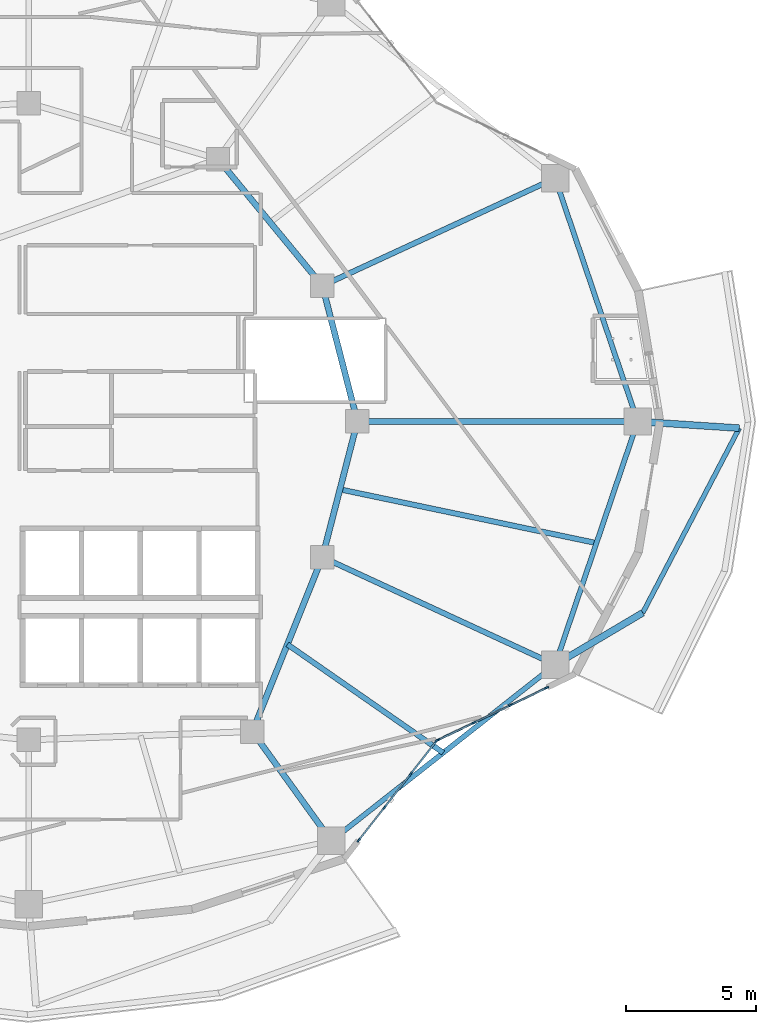
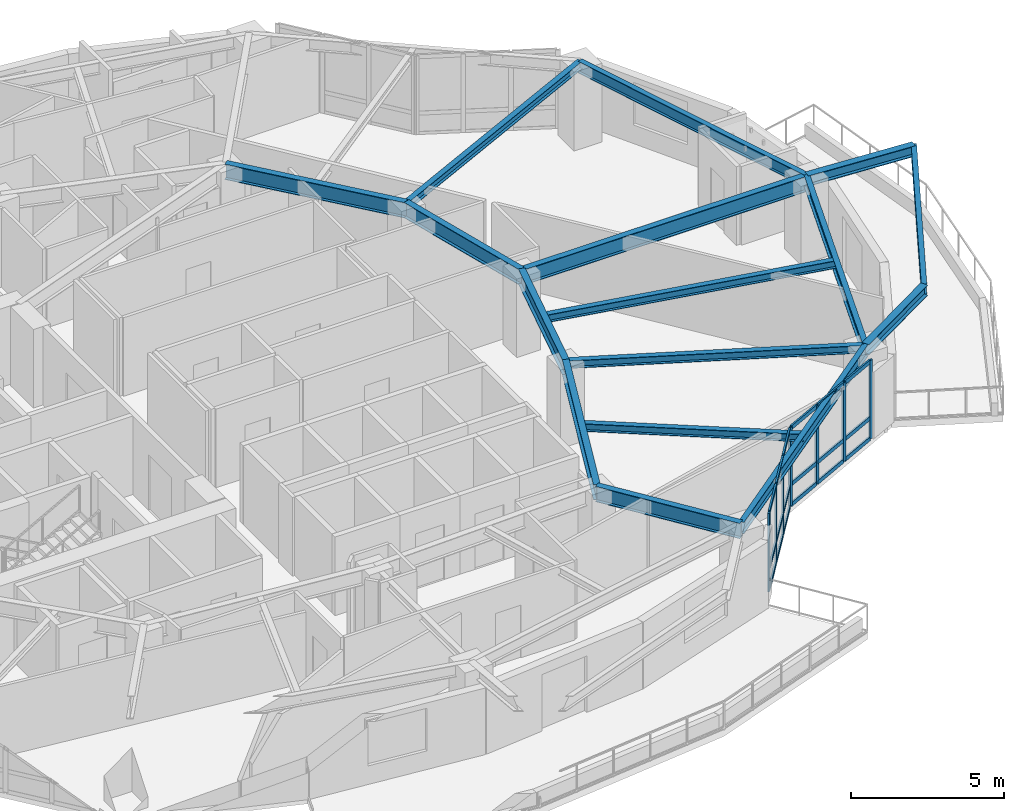
# One storey, part 4 of 19: 26 members, 16 beams, 2 elements without a shape of their own.
"""IFC4 building model written with IfcOpenShell, lengths in metres."""

from ifc_helpers import new_model, si_unit, direction, frame, origin, origin_2d, place, context, subcontext, project, spatial, rectangle, i_section, extrude, material, layer, layer_set, material_profile, profile_set, type_object, element, aggregate, save


model = new_model("IFC4")

# Units and contexts
model_context = context("Model", 3, precision=1e-05, world=origin(), true_north=direction((0.0, 1.0)))
body_context = subcontext(model_context, "Body", "Model", "MODEL_VIEW")
ifc_project = project(units=[si_unit("LENGTHUNIT", "METRE"), si_unit("AREAUNIT", "SQUARE_METRE"), si_unit("VOLUMEUNIT", "CUBIC_METRE"), si_unit("PLANEANGLEUNIT", "RADIAN"), si_unit("MASSUNIT", "GRAM", prefix="KILO")], contexts=[model_context])

# Site, building, storey
site_placement = place(None, origin())
site = spatial("IfcSite", under=ifc_project, at=site_placement, CompositionType="ELEMENT")
building_placement = place(site_placement, origin())
building = spatial("IfcBuilding", under=site, at=building_placement, Name="Kolvaren Gate Tower and Convention Centre", CompositionType="ELEMENT")
storey_placement = place(building_placement, frame((0.0, 0.0, 122.300048828125)))
storey = spatial("IfcBuildingStorey", under=building, at=storey_placement, Name="L30", CompositionType="ELEMENT", Elevation=122.300048828125)

# Curtain wall, members
ifc_material_1 = material(Name="Anodized Architectural Aluminium Alloy 6063-T6", Category="aluminium")
ifc_layer = layer(ifc_material_1, 0.159912109375)
ifc_layer_set = layer_set([ifc_layer], Name="Anodized Architectural Aluminium Alloy 6063-T6")
curtain_wall_type = type_object("IfcCurtainWallType", Name="CW-HTL-UNIT", PredefinedType="NOTDEFINED", material=ifc_layer_set)
curtain_wall_1_placement = place(storey_placement, origin())
curtain_wall_1 = element("IfcCurtainWall", 1, at=curtain_wall_1_placement, inside=storey, type_object=curtain_wall_type, Name="Tower L30 Unitised Curtain Wall CW-HTL-UNIT Bay 20", PredefinedType="NOTDEFINED")
ifc_material_profile_1 = material_profile(ifc_material_1, rectangle(XDim=0.06494140625, YDim=0.159912109375, at=origin_2d()), Name="CW-MEM-MUL-160")
ifc_profile_set_1 = profile_set([ifc_material_profile_1], Name="Anodized Architectural Aluminium Alloy 6063-T6")
member_type_1 = type_object("IfcMemberType", Name="CW-MEM-MUL-160", PredefinedType="MULLION", material=ifc_profile_set_1)
member_1_placement = place(storey_placement, frame((42.77880859375, 10.957763671875, 0.0), z_axis=(0.0, 0.0, 1.0), x_axis=(-0.787412940513, 0.616425876414, 0.0)))
member_1 = element("IfcMember", 2, at=member_1_placement, type_object=member_type_1, Name="CW-03 mullion 1", PredefinedType="MULLION", context=body_context, shape_type="SweptSolid", body=[
    extrude(rectangle(XDim=0.06494140625, YDim=0.159912109375, at=origin_2d()), origin(), (0.0, 0.0, 1.0), 3.1298828125),
])
member_2_placement = place(storey_placement, frame((43.76220703125, 12.2138671875, 0.0), z_axis=(0.0, 0.0, 1.0), x_axis=(-0.787412940513, 0.616425876414, 0.0)))
member_2 = element("IfcMember", 3, at=member_2_placement, type_object=member_type_1, Name="CW-03 mullion 2", PredefinedType="MULLION", context=body_context, shape_type="SweptSolid", body=[
    extrude(rectangle(XDim=0.06494140625, YDim=0.159912109375, at=origin_2d()), origin(), (0.0, 0.0, 1.0), 3.1298828125),
])
member_3_placement = place(storey_placement, frame((44.765380859375, 13.495361328125, 0.0), z_axis=(0.0, 0.0, 1.0), x_axis=(-0.787412940513, 0.616425876414, 0.0)))
member_3 = element("IfcMember", 4, at=member_3_placement, type_object=member_type_1, Name="CW-03 mullion 3", PredefinedType="MULLION", context=body_context, shape_type="SweptSolid", body=[
    extrude(rectangle(XDim=0.06494140625, YDim=0.159912109375, at=origin_2d()), origin(), (0.0, 0.0, 1.0), 3.1298828125),
])
member_4_placement = place(storey_placement, frame((45.748779296875, 14.75146484375, 0.0), z_axis=(0.0, 0.0, 1.0), x_axis=(-0.787412940513, 0.616425876414, 0.0)))
member_4 = element("IfcMember", 5, at=member_4_placement, type_object=member_type_1, Name="CW-03 mullion 4", PredefinedType="MULLION", context=body_context, shape_type="SweptSolid", body=[
    extrude(rectangle(XDim=0.06494140625, YDim=0.159912109375, at=origin_2d()), origin(), (0.0, 0.0, 1.0), 3.1298828125),
])

curtain_wall_2_placement = place(storey_placement, origin())
curtain_wall_2 = element("IfcCurtainWall", 6, at=curtain_wall_2_placement, inside=storey, type_object=curtain_wall_type, Name="Tower L30 Unitised Curtain Wall CW-HTL-UNIT Bay 21", PredefinedType="NOTDEFINED")
member_5_placement = place(storey_placement, frame((45.798095703125, 14.791015625, 0.0), z_axis=(0.0, 0.0, 1.0), x_axis=(-0.433070515205, 0.901360043967, 0.0)))
member_5 = element("IfcMember", 7, at=member_5_placement, type_object=member_type_1, Name="CW-03 mullion 1", PredefinedType="MULLION", context=body_context, shape_type="SweptSolid", body=[
    extrude(rectangle(XDim=0.06494140625, YDim=0.159912109375, at=origin_2d()), origin(), (0.0, 0.0, 1.0), 3.1298828125),
])
member_6_placement = place(storey_placement, frame((47.181396484375, 15.455810546875, 0.0), z_axis=(0.0, 0.0, 1.0), x_axis=(-0.433070515205, 0.901360043967, 0.0)))
member_6 = element("IfcMember", 8, at=member_6_placement, type_object=member_type_1, Name="CW-03 mullion 2", PredefinedType="MULLION", context=body_context, shape_type="SweptSolid", body=[
    extrude(rectangle(XDim=0.06494140625, YDim=0.159912109375, at=origin_2d()), origin(), (0.0, 0.0, 1.0), 3.1298828125),
])
member_7_placement = place(storey_placement, frame((48.59423828125, 16.134521484375, 0.0), z_axis=(0.0, 0.0, 1.0), x_axis=(-0.433070515205, 0.901360043967, 0.0)))
member_7 = element("IfcMember", 9, at=member_7_placement, type_object=member_type_1, Name="CW-03 mullion 3", PredefinedType="MULLION", context=body_context, shape_type="SweptSolid", body=[
    extrude(rectangle(XDim=0.06494140625, YDim=0.159912109375, at=origin_2d()), origin(), (0.0, 0.0, 1.0), 3.1298828125),
])
member_8_placement = place(storey_placement, frame((49.9775390625, 16.79931640625, 0.0), z_axis=(0.0, 0.0, 1.0), x_axis=(-0.433070515205, 0.901360043967, 0.0)))
member_8 = element("IfcMember", 10, at=member_8_placement, type_object=member_type_1, Name="CW-03 mullion 4", PredefinedType="MULLION", context=body_context, shape_type="SweptSolid", body=[
    extrude(rectangle(XDim=0.06494140625, YDim=0.159912109375, at=origin_2d()), origin(), (0.0, 0.0, 1.0), 3.1298828125),
])

# Member
ifc_material_profile_2 = material_profile(ifc_material_1, rectangle(XDim=0.06494140625, YDim=0.159912109375, at=origin_2d()), Name="CW-MEM-TRN-160")
ifc_profile_set_2 = profile_set([ifc_material_profile_2], Name="Anodized Architectural Aluminium Alloy 6063-T6")
member_type_2 = type_object("IfcMemberType", Name="CW-MEM-TRN-160", PredefinedType="USERDEFINED", material=ifc_profile_set_2)
member_9_placement = place(storey_placement, frame((42.798828125, 10.9833984375, 0.032470703125), z_axis=(0.616488928006, 0.78736357653, 0.0), x_axis=(-0.78736357653, 0.616488928006, 0.0)))
member_9 = element("IfcMember", 11, at=member_9_placement, type_object=member_type_2, Name="CW-03 transom 1.1", ObjectType="TRANSOM", PredefinedType="USERDEFINED", context=body_context, shape_type="SweptSolid", body=[
    extrude(rectangle(XDim=0.06494140625, YDim=0.159912109375, at=origin_2d()), origin(), (0.0, 0.0, 1.0), 1.5302734375),
])

member_10_placement = place(storey_placement, frame((42.798828125, 10.9833984375, 0.849853515625), z_axis=(0.616488928006, 0.78736357653, 0.0), x_axis=(-0.78736357653, 0.616488928006, 0.0)))
member_10 = element("IfcMember", 12, at=member_10_placement, type_object=member_type_2, Name="CW-03 transom 1.2", ObjectType="TRANSOM", PredefinedType="USERDEFINED", context=body_context, shape_type="SweptSolid", body=[
    extrude(rectangle(XDim=0.06494140625, YDim=0.159912109375, at=origin_2d()), origin(), (0.0, 0.0, 1.0), 1.5302734375),
])

member_11_placement = place(storey_placement, frame((42.798828125, 10.9833984375, 3.097412109375), z_axis=(0.616488928006, 0.78736357653, 0.0), x_axis=(-0.78736357653, 0.616488928006, 0.0)))
member_11 = element("IfcMember", 13, at=member_11_placement, type_object=member_type_2, Name="CW-03 transom 1.3", ObjectType="TRANSOM", PredefinedType="USERDEFINED", context=body_context, shape_type="SweptSolid", body=[
    extrude(rectangle(XDim=0.06494140625, YDim=0.159912109375, at=origin_2d()), origin(), (0.0, 0.0, 1.0), 1.5302734375),
])

member_12_placement = place(storey_placement, frame((43.7822265625, 12.239501953125, 0.032470703125), z_axis=(0.616447292669, 0.787396174337, 0.0), x_axis=(-0.787396174337, 0.616447292669, 0.0)))
member_12 = element("IfcMember", 14, at=member_12_placement, type_object=member_type_2, Name="CW-03 transom 2.1", ObjectType="TRANSOM", PredefinedType="USERDEFINED", context=body_context, shape_type="SweptSolid", body=[
    extrude(rectangle(XDim=0.06494140625, YDim=0.159912109375, at=origin_2d()), origin(), (0.0, 0.0, 1.0), 1.5625),
])

member_13_placement = place(storey_placement, frame((43.7822265625, 12.239501953125, 0.849853515625), z_axis=(0.616447292669, 0.787396174337, 0.0), x_axis=(-0.787396174337, 0.616447292669, 0.0)))
member_13 = element("IfcMember", 15, at=member_13_placement, type_object=member_type_2, Name="CW-03 transom 2.2", ObjectType="TRANSOM", PredefinedType="USERDEFINED", context=body_context, shape_type="SweptSolid", body=[
    extrude(rectangle(XDim=0.06494140625, YDim=0.159912109375, at=origin_2d()), origin(), (0.0, 0.0, 1.0), 1.5625),
])

member_14_placement = place(storey_placement, frame((43.7822265625, 12.239501953125, 3.097412109375), z_axis=(0.616447292669, 0.787396174337, 0.0), x_axis=(-0.787396174337, 0.616447292669, 0.0)))
member_14 = element("IfcMember", 16, at=member_14_placement, type_object=member_type_2, Name="CW-03 transom 2.3", ObjectType="TRANSOM", PredefinedType="USERDEFINED", context=body_context, shape_type="SweptSolid", body=[
    extrude(rectangle(XDim=0.06494140625, YDim=0.159912109375, at=origin_2d()), origin(), (0.0, 0.0, 1.0), 1.5625),
])

member_15_placement = place(storey_placement, frame((44.785400390625, 13.52099609375, 0.032470703125), z_axis=(0.61639000373, 0.78744102211, 0.0), x_axis=(-0.78744102211, 0.61639000373, 0.0)))
member_15 = element("IfcMember", 17, at=member_15_placement, type_object=member_type_2, Name="CW-03 transom 3.1", ObjectType="TRANSOM", PredefinedType="USERDEFINED", context=body_context, shape_type="SweptSolid", body=[
    extrude(rectangle(XDim=0.06494140625, YDim=0.159912109375, at=origin_2d()), origin(), (0.0, 0.0, 1.0), 1.530029296875),
])

member_16_placement = place(storey_placement, frame((44.785400390625, 13.52099609375, 0.849853515625), z_axis=(0.61639000373, 0.78744102211, 0.0), x_axis=(-0.78744102211, 0.61639000373, 0.0)))
member_16 = element("IfcMember", 18, at=member_16_placement, type_object=member_type_2, Name="CW-03 transom 3.2", ObjectType="TRANSOM", PredefinedType="USERDEFINED", context=body_context, shape_type="SweptSolid", body=[
    extrude(rectangle(XDim=0.06494140625, YDim=0.159912109375, at=origin_2d()), origin(), (0.0, 0.0, 1.0), 1.530029296875),
])

member_17_placement = place(storey_placement, frame((44.785400390625, 13.52099609375, 3.097412109375), z_axis=(0.61639000373, 0.78744102211, 0.0), x_axis=(-0.78744102211, 0.61639000373, 0.0)))
member_17 = element("IfcMember", 19, at=member_17_placement, type_object=member_type_2, Name="CW-03 transom 3.3", ObjectType="TRANSOM", PredefinedType="USERDEFINED", context=body_context, shape_type="SweptSolid", body=[
    extrude(rectangle(XDim=0.06494140625, YDim=0.159912109375, at=origin_2d()), origin(), (0.0, 0.0, 1.0), 1.530029296875),
])

aggregate(curtain_wall_1, [member_1, member_2, member_3, member_4, member_9, member_10, member_11, member_12, member_13, member_14, member_15, member_16, member_17])

member_18_placement = place(storey_placement, frame((45.827392578125, 14.80517578125, 0.032470703125), z_axis=(0.901359682886, 0.433071266731, 0.0), x_axis=(-0.433071266731, 0.901359682886, 0.0)))
member_18 = element("IfcMember", 20, at=member_18_placement, type_object=member_type_2, Name="CW-03 transom 1.1", ObjectType="TRANSOM", PredefinedType="USERDEFINED", context=body_context, shape_type="SweptSolid", body=[
    extrude(rectangle(XDim=0.06494140625, YDim=0.159912109375, at=origin_2d()), origin(), (0.0, 0.0, 1.0), 1.4697265625),
])

member_19_placement = place(storey_placement, frame((45.827392578125, 14.80517578125, 0.849853515625), z_axis=(0.901359682886, 0.433071266731, 0.0), x_axis=(-0.433071266731, 0.901359682886, 0.0)))
member_19 = element("IfcMember", 21, at=member_19_placement, type_object=member_type_2, Name="CW-03 transom 1.2", ObjectType="TRANSOM", PredefinedType="USERDEFINED", context=body_context, shape_type="SweptSolid", body=[
    extrude(rectangle(XDim=0.06494140625, YDim=0.159912109375, at=origin_2d()), origin(), (0.0, 0.0, 1.0), 1.4697265625),
])

member_20_placement = place(storey_placement, frame((45.827392578125, 14.80517578125, 3.097412109375), z_axis=(0.901359682886, 0.433071266731, 0.0), x_axis=(-0.433071266731, 0.901359682886, 0.0)))
member_20 = element("IfcMember", 22, at=member_20_placement, type_object=member_type_2, Name="CW-03 transom 1.3", ObjectType="TRANSOM", PredefinedType="USERDEFINED", context=body_context, shape_type="SweptSolid", body=[
    extrude(rectangle(XDim=0.06494140625, YDim=0.159912109375, at=origin_2d()), origin(), (0.0, 0.0, 1.0), 1.4697265625),
])

member_21_placement = place(storey_placement, frame((47.210693359375, 15.4697265625, 0.032470703125), z_axis=(0.901368321762, 0.43305328601, 0.0), x_axis=(-0.43305328601, 0.901368321762, 0.0)))
member_21 = element("IfcMember", 23, at=member_21_placement, type_object=member_type_2, Name="CW-03 transom 2.1", ObjectType="TRANSOM", PredefinedType="USERDEFINED", context=body_context, shape_type="SweptSolid", body=[
    extrude(rectangle(XDim=0.06494140625, YDim=0.159912109375, at=origin_2d()), origin(), (0.0, 0.0, 1.0), 1.50244140625),
])

member_22_placement = place(storey_placement, frame((47.210693359375, 15.4697265625, 0.849853515625), z_axis=(0.901368321762, 0.43305328601, 0.0), x_axis=(-0.43305328601, 0.901368321762, 0.0)))
member_22 = element("IfcMember", 24, at=member_22_placement, type_object=member_type_2, Name="CW-03 transom 2.2", ObjectType="TRANSOM", PredefinedType="USERDEFINED", context=body_context, shape_type="SweptSolid", body=[
    extrude(rectangle(XDim=0.06494140625, YDim=0.159912109375, at=origin_2d()), origin(), (0.0, 0.0, 1.0), 1.50244140625),
])

member_23_placement = place(storey_placement, frame((47.210693359375, 15.4697265625, 3.097412109375), z_axis=(0.901368321762, 0.43305328601, 0.0), x_axis=(-0.43305328601, 0.901368321762, 0.0)))
member_23 = element("IfcMember", 25, at=member_23_placement, type_object=member_type_2, Name="CW-03 transom 2.3", ObjectType="TRANSOM", PredefinedType="USERDEFINED", context=body_context, shape_type="SweptSolid", body=[
    extrude(rectangle(XDim=0.06494140625, YDim=0.159912109375, at=origin_2d()), origin(), (0.0, 0.0, 1.0), 1.50244140625),
])

member_24_placement = place(storey_placement, frame((48.62353515625, 16.148681640625, 0.032470703125), z_axis=(0.901359682886, 0.433071266731, 0.0), x_axis=(-0.433071266731, 0.901359682886, 0.0)))
member_24 = element("IfcMember", 26, at=member_24_placement, type_object=member_type_2, Name="CW-03 transom 3.1", ObjectType="TRANSOM", PredefinedType="USERDEFINED", context=body_context, shape_type="SweptSolid", body=[
    extrude(rectangle(XDim=0.06494140625, YDim=0.159912109375, at=origin_2d()), origin(), (0.0, 0.0, 1.0), 1.4697265625),
])

member_25_placement = place(storey_placement, frame((48.62353515625, 16.148681640625, 0.849853515625), z_axis=(0.901359682886, 0.433071266731, 0.0), x_axis=(-0.433071266731, 0.901359682886, 0.0)))
member_25 = element("IfcMember", 27, at=member_25_placement, type_object=member_type_2, Name="CW-03 transom 3.2", ObjectType="TRANSOM", PredefinedType="USERDEFINED", context=body_context, shape_type="SweptSolid", body=[
    extrude(rectangle(XDim=0.06494140625, YDim=0.159912109375, at=origin_2d()), origin(), (0.0, 0.0, 1.0), 1.4697265625),
])

member_26_placement = place(storey_placement, frame((48.62353515625, 16.148681640625, 3.097412109375), z_axis=(0.901359682886, 0.433071266731, 0.0), x_axis=(-0.433071266731, 0.901359682886, 0.0)))
member_26 = element("IfcMember", 28, at=member_26_placement, type_object=member_type_2, Name="CW-03 transom 3.3", ObjectType="TRANSOM", PredefinedType="USERDEFINED", context=body_context, shape_type="SweptSolid", body=[
    extrude(rectangle(XDim=0.06494140625, YDim=0.159912109375, at=origin_2d()), origin(), (0.0, 0.0, 1.0), 1.4697265625),
])

aggregate(curtain_wall_2, [member_5, member_6, member_7, member_8, member_18, member_19, member_20, member_21, member_22, member_23, member_24, member_25, member_26])

# Beams
ifc_material_2 = material(Name="Structural steel ASTM A992 Grade 345 MPa", Category="steel")
ifc_material_profile_3 = material_profile(ifc_material_2, i_section(OverallWidth=0.260009765625, OverallDepth=0.419921875, WebThickness=0.013427734375, FlangeThickness=0.0224609375, at=origin_2d()), Name="W410X132")
ifc_profile_set_3 = profile_set([ifc_material_profile_3], Name="Structural steel ASTM A992 Grade 345 MPa")
beam_type_1 = type_object("IfcBeamType", Name="STR-BM-W410X132", PredefinedType="BEAM", material=ifc_profile_set_3)
for number, where, z_axis, x_axis, name in (
    (29, (50.30029296875, 17.681396484375, 2.92041015625), (0.860390154059, 0.509635931621, 0.0), (-0.509635931621, 0.860390154059, 0.0), "Tower L31 Planted Balcony Outrigger Cantilever BC-4A"),
    (30, (53.46240234375, 27.0, 2.92041015625), (0.997849773417, -0.06554257922, 0.0), (0.06554257922, 0.997849773417, 0.0), "Tower L31 Planted Balcony Outrigger Cantilever BC-4B"),
):
    element("IfcBeam", number, at=place(storey_placement, frame(where, z_axis=z_axis, x_axis=x_axis)), inside=storey, type_object=beam_type_1, Name=name, PredefinedType="BEAM", context=body_context, shape_type="SweptSolid", body=[
        extrude(i_section(OverallWidth=0.260009765625, OverallDepth=0.419921875, WebThickness=0.013427734375, FlangeThickness=0.0224609375, at=origin_2d()), origin(), (0.0, 0.0, 1.0), 3.89990234375),
    ])
ifc_material_profile_4 = material_profile(ifc_material_2, i_section(OverallWidth=0.22998046875, OverallDepth=0.616943359375, WebThickness=0.01318359375, FlangeThickness=0.022216796875, at=origin_2d()), Name="W610X140")
ifc_profile_set_4 = profile_set([ifc_material_profile_4], Name="Structural steel ASTM A992 Grade 345 MPa")
beam_type_2 = type_object("IfcBeamType", Name="STR-BM-W610X140", PredefinedType="BEAM", material=ifc_profile_set_4)
beam_1_placement = place(storey_placement, frame((42.72509765625, 27.0, 2.821533203125), z_axis=(-0.250091133936, -0.968222301296, 0.0), x_axis=(0.968222301296, -0.250091133936, 0.0)))
element("IfcBeam", 31, at=beam_1_placement, inside=storey, type_object=beam_type_2, Name="Tower L30 Primary Ring Girder G-01", PredefinedType="BEAM", context=body_context, shape_type="SweptSolid", body=[
    extrude(i_section(OverallWidth=0.22998046875, OverallDepth=0.616943359375, WebThickness=0.01318359375, FlangeThickness=0.022216796875, at=origin_2d()), origin(), (0.0, 0.0, 1.0), 5.3701171875),
])
beam_2_placement = place(storey_placement, frame((41.382080078125, 32.199462890625, 2.821533203125), z_axis=(-0.635884066011, 0.771784590798, 0.0), x_axis=(-0.771784590798, -0.635884066011, 0.0)))
element("IfcBeam", 32, at=beam_2_placement, inside=storey, type_object=beam_type_2, Name="Tower L30 Primary Ring Girder G-02", PredefinedType="BEAM", context=body_context, shape_type="SweptSolid", body=[
    extrude(i_section(OverallWidth=0.22998046875, OverallDepth=0.616943359375, WebThickness=0.01318359375, FlangeThickness=0.022216796875, at=origin_2d()), origin(), (0.0, 0.0, 1.0), 6.291259765625),
])
beam_3_placement = place(storey_placement, frame((38.6982421875, 15.12060546875, 2.821533203125), z_axis=(0.372811100169, 0.927907260232, 0.0), x_axis=(-0.927907260232, 0.372811100169, 0.0)))
element("IfcBeam", 33, at=beam_3_placement, inside=storey, type_object=beam_type_2, Name="Tower L30 Primary Ring Girder G-09", PredefinedType="BEAM", context=body_context, shape_type="SweptSolid", body=[
    extrude(i_section(OverallWidth=0.22998046875, OverallDepth=0.616943359375, WebThickness=0.01318359375, FlangeThickness=0.022216796875, at=origin_2d()), origin(), (0.0, 0.0, 1.0), 7.198974609375),
])
beam_4_placement = place(storey_placement, frame((42.72509765625, 27.0, 2.821533203125), z_axis=(-0.250091133936, 0.968222301296, 0.0), x_axis=(-0.968222301296, -0.250091133936, 0.0)))
element("IfcBeam", 34, at=beam_4_placement, inside=storey, type_object=beam_type_2, Name="Tower L30 Primary Ring Girder G-12", PredefinedType="BEAM", context=body_context, shape_type="SweptSolid", body=[
    extrude(i_section(OverallWidth=0.22998046875, OverallDepth=0.616943359375, WebThickness=0.01318359375, FlangeThickness=0.022216796875, at=origin_2d()), origin(), (0.0, 0.0, 1.0), 5.3701171875),
])
beam_5_placement = place(storey_placement, frame((42.72509765625, 27.0, 2.821533203125), z_axis=(1.0, 0.0, 0.0), x_axis=(0.0, 1.0, 0.0)))
element("IfcBeam", 35, at=beam_5_placement, inside=storey, type_object=beam_type_2, Name="Tower L30 Radial Floor Girder RB-01", PredefinedType="BEAM", context=body_context, shape_type="SweptSolid", body=[
    extrude(i_section(OverallWidth=0.22998046875, OverallDepth=0.616943359375, WebThickness=0.01318359375, FlangeThickness=0.022216796875, at=origin_2d()), origin(), (0.0, 0.0, 1.0), 10.7373046875),
])
beam_6_placement = place(storey_placement, frame((38.6982421875, 15.12060546875, 2.821533203125), z_axis=(0.585214440031, -0.810878572401, 0.0), x_axis=(0.810878572401, 0.585214440031, 0.0)))
element("IfcBeam", 36, at=beam_6_placement, inside=storey, type_object=beam_type_2, Name="Tower L30 Radial Floor Girder RB-11", PredefinedType="BEAM", context=body_context, shape_type="SweptSolid", body=[
    extrude(i_section(OverallWidth=0.22998046875, OverallDepth=0.616943359375, WebThickness=0.01318359375, FlangeThickness=0.022216796875, at=origin_2d()), origin(), (0.0, 0.0, 1.0), 5.166015625),
])
ifc_material_profile_5 = material_profile(ifc_material_2, i_section(OverallWidth=0.205078125, OverallDepth=0.31005859375, WebThickness=0.009521484375, FlangeThickness=0.016357421875, at=origin_2d()), Name="W310X74")
ifc_profile_set_5 = profile_set([ifc_material_profile_5], Name="Structural steel ASTM A992 Grade 345 MPa")
beam_type_3 = type_object("IfcBeamType", Name="STR-JS-W310X74", PredefinedType="JOIST", material=ifc_profile_set_5)
for number, where, z_axis, x_axis, name in (
    (37, (41.382080078125, 32.199462890625, 2.974853515625), (0.907841510795, 0.419313476146, 0.0), (-0.419313476146, 0.907841510795, 0.0), "Tower L30 Radial Floor Girder RB-02"),
    (38, (41.382080078125, 21.800537109375, 2.974853515625), (0.907841510795, -0.419313476146, 0.0), (0.419313476146, 0.907841510795, 0.0), "Tower L30 Radial Floor Girder RB-12"),
):
    element("IfcBeam", number, at=place(storey_placement, frame(where, z_axis=z_axis, x_axis=x_axis)), inside=storey, type_object=beam_type_3, Name=name, PredefinedType="JOIST", context=body_context, shape_type="SweptSolid", body=[
        extrude(i_section(OverallWidth=0.205078125, OverallDepth=0.31005859375, WebThickness=0.009521484375, FlangeThickness=0.016357421875, at=origin_2d()), origin(), (0.0, 0.0, 1.0), 9.823486328125),
    ])
beam_7_placement = place(storey_placement, frame((40.040283203125, 18.46044921875, 2.974853515625), z_axis=(0.820871677882, -0.571112675792, 0.0), x_axis=(0.571112675792, 0.820871677882, 0.0)))
element("IfcBeam", 39, at=beam_7_placement, inside=storey, type_object=beam_type_3, Name="Tower L30 Secondary Composite Floor Joist J-11.1", PredefinedType="JOIST", context=body_context, shape_type="SweptSolid", body=[
    extrude(i_section(OverallWidth=0.205078125, OverallDepth=0.31005859375, WebThickness=0.009521484375, FlangeThickness=0.016357421875, at=origin_2d()), origin(), (0.0, 0.0, 1.0), 7.273681640625),
])
beam_8_placement = place(storey_placement, frame((42.0537109375, 24.400146484375, 2.974853515625), z_axis=(0.978743091795, -0.205090127175, 0.0), x_axis=(0.205090127175, 0.978743091795, 0.0)))
element("IfcBeam", 40, at=beam_8_placement, inside=storey, type_object=beam_type_3, Name="Tower L30 Secondary Composite Floor Joist J-12.1", PredefinedType="JOIST", context=body_context, shape_type="SweptSolid", body=[
    extrude(i_section(OverallWidth=0.205078125, OverallDepth=0.31005859375, WebThickness=0.009521484375, FlangeThickness=0.016357421875, at=origin_2d()), origin(), (0.0, 0.0, 1.0), 10.041015625),
])
ifc_material_profile_6 = material_profile(ifc_material_2, i_section(OverallWidth=0.180908203125, OverallDepth=0.4169921875, WebThickness=0.010986328125, FlangeThickness=0.018310546875, at=origin_2d()), Name="W410X85")
ifc_profile_set_6 = profile_set([ifc_material_profile_6], Name="Structural steel ASTM A992 Grade 345 MPa")
beam_type_4 = type_object("IfcBeamType", Name="STR-SP-W410X85", PredefinedType="SPANDREL", material=ifc_profile_set_6)
beam_9_placement = place(storey_placement, frame((53.65576171875, 19.6689453125, 2.921875), z_axis=(0.463226370738, 0.886239995403, 0.0), x_axis=(-0.886239995403, 0.463226370738, 0.0)))
element("IfcBeam", 41, at=beam_9_placement, inside=storey, type_object=beam_type_4, Name="Tower L31 Planted Balcony Header Tie Beam BT-4", PredefinedType="SPANDREL", context=body_context, shape_type="SweptSolid", body=[
    extrude(i_section(OverallWidth=0.180908203125, OverallDepth=0.4169921875, WebThickness=0.010986328125, FlangeThickness=0.018310546875, at=origin_2d()), origin(), (0.0, 0.0, 1.0), 7.983642578125),
])
ifc_material_profile_7 = material_profile(ifc_material_2, i_section(OverallWidth=0.194091796875, OverallDepth=0.468994140625, WebThickness=0.0126953125, FlangeThickness=0.0205078125, at=origin_2d()), Name="W460X106")
ifc_profile_set_7 = profile_set([ifc_material_profile_7], Name="Structural steel ASTM A992 Grade 345 MPa")
beam_type_5 = type_object("IfcBeamType", Name="STR-SP-W460X106", PredefinedType="SPANDREL", material=ifc_profile_set_7)
beam_10_placement = place(storey_placement, frame((53.46240234375, 27.0, 2.8955078125), z_axis=(-0.321336471485, 0.946965084939, 0.0), x_axis=(-0.946965084939, -0.321336471485, 0.0)))
element("IfcBeam", 42, at=beam_10_placement, inside=storey, type_object=beam_type_5, Name="Tower L30 Perimeter Spandrel Beam SP-01", PredefinedType="SPANDREL", context=body_context, shape_type="SweptSolid", body=[
    extrude(i_section(OverallWidth=0.194091796875, OverallDepth=0.468994140625, WebThickness=0.0126953125, FlangeThickness=0.0205078125, at=origin_2d()), origin(), (0.0, 0.0, 1.0), 9.840576171875),
])
beam_11_placement = place(storey_placement, frame((41.721435546875, 10.931640625, 2.8955078125), z_axis=(0.785907610354, 0.618343939881, 0.0), x_axis=(-0.618343939881, 0.785907610354, 0.0)))
element("IfcBeam", 43, at=beam_11_placement, inside=storey, type_object=beam_type_5, Name="Tower L30 Perimeter Spandrel Beam SP-11", PredefinedType="SPANDREL", context=body_context, shape_type="SweptSolid", body=[
    extrude(i_section(OverallWidth=0.194091796875, OverallDepth=0.468994140625, WebThickness=0.0126953125, FlangeThickness=0.0205078125, at=origin_2d()), origin(), (0.0, 0.0, 1.0), 10.915771484375),
])
beam_12_placement = place(storey_placement, frame((50.30029296875, 17.681396484375, 2.8955078125), z_axis=(0.321336471485, 0.946965084939, 0.0), x_axis=(-0.946965084939, 0.321336471485, 0.0)))
element("IfcBeam", 44, at=beam_12_placement, inside=storey, type_object=beam_type_5, Name="Tower L30 Perimeter Spandrel Beam SP-12", PredefinedType="SPANDREL", context=body_context, shape_type="SweptSolid", body=[
    extrude(i_section(OverallWidth=0.194091796875, OverallDepth=0.468994140625, WebThickness=0.0126953125, FlangeThickness=0.0205078125, at=origin_2d()), origin(), (0.0, 0.0, 1.0), 9.840576171875),
])

save(model, "model.ifc")
